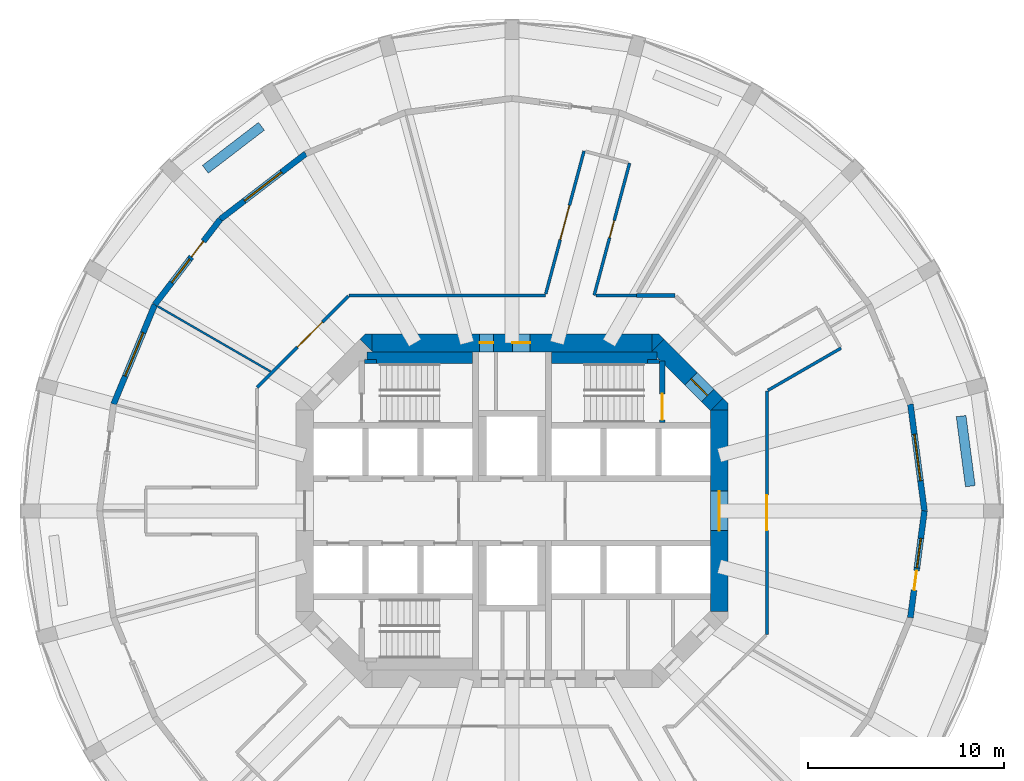
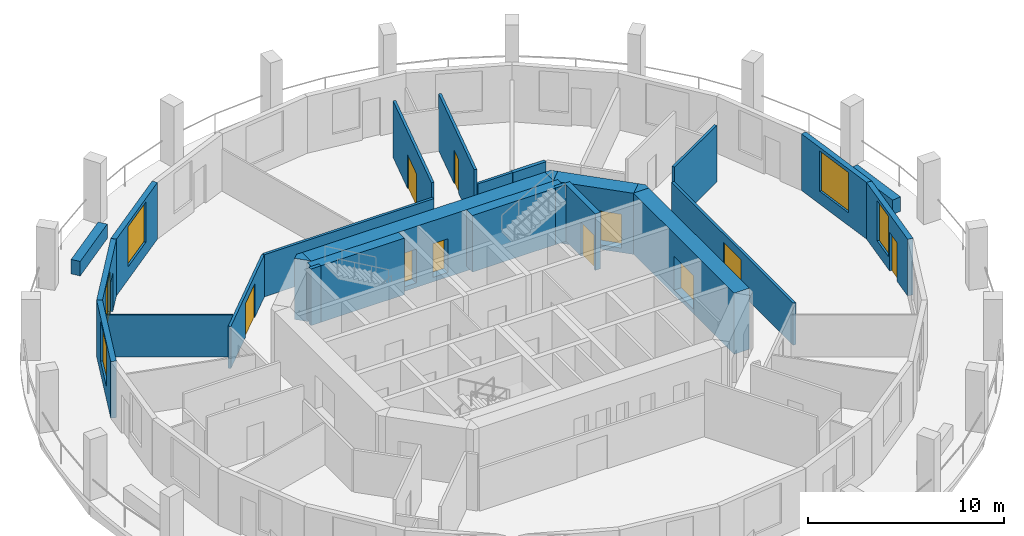
# One storey, part 5 of 8: 27 walls, 11 doors, 5 windows, 16 openings.
"""IFC4 building model written with IfcOpenShell, lengths in metres."""

from ifc_helpers import new_model, si_unit, direction, frame, frame_2d, origin, place, context, subcontext, project, spatial, polyline, rectangle, outline, extrude, material, layer, layer_set, type_object, element, fill, save


model = new_model("IFC4")

# Units and contexts
model_context = context("Model", 3, precision=1e-05, world=origin(), true_north=direction((0.0, 1.0)))
body_context = subcontext(model_context, "Body", "Model", "MODEL_VIEW")
ifc_project = project(units=[si_unit("LENGTHUNIT", "METRE"), si_unit("AREAUNIT", "SQUARE_METRE"), si_unit("VOLUMEUNIT", "CUBIC_METRE"), si_unit("PLANEANGLEUNIT", "RADIAN"), si_unit("MASSUNIT", "GRAM", prefix="KILO")], contexts=[model_context])

# Site, building, storey
site_placement = place(None, origin())
site = spatial("IfcSite", under=ifc_project, at=site_placement, CompositionType="ELEMENT")
building_placement = place(site_placement, origin())
building = spatial("IfcBuilding", under=site, at=building_placement, Name="Torre Triforio", CompositionType="ELEMENT")
storey_placement = place(building_placement, frame((0.0, 0.0, 142.800048828125)))
storey = spatial("IfcBuildingStorey", under=building, at=storey_placement, Name="L32", CompositionType="ELEMENT", Elevation=142.800048828125)

# Wall, openings, doors
ifc_material_1 = material(Name="Concrete C60", Category="concrete")
ifc_layer_1 = layer(ifc_material_1, 0.89990234375)
ifc_layer_set_1 = layer_set([ifc_layer_1], Name="Concrete C60")
wall_type_1 = type_object("IfcWallType", Name="Core wall 900 mm C60 EI 120", PredefinedType="SHEAR", material=ifc_layer_set_1)
wall_1_placement = place(storey_placement, frame((-7.1298828125, 8.550048828125, -0.280029296875), z_axis=(0.0, 0.0, 1.0), x_axis=(1.0, 0.0, 0.0)))
wall_1 = element("IfcWall", 1, at=wall_1_placement, inside=storey, type_object=wall_type_1, Name="Core wall", PredefinedType="SHEAR", context=body_context, shape_type="SweptSolid", body=[
    extrude(rectangle(XDim=14.259765625, YDim=0.89990234375, at=frame_2d((7.1298828125, 0.0))), origin(), (0.0, 0.0, 1.0), 3.800048828125),
])
opening_1_placement = place(wall_1_placement, frame((5.47998046875, 0.0, 0.280029296875)))
opening_1 = element("IfcOpeningElement", 2, at=opening_1_placement, cuts=wall_1, Name="Opening RISER-N", PredefinedType="OPENING", context=body_context, shape_type="SweptSolid", body=[
    extrude(rectangle(XDim=0.699951171875, YDim=2.10009765625, at=frame_2d((0.35009765625, 1.050048828125))), frame((0.0, 0.4599609375, 0.0), z_axis=(0.0, -1.0, 0.0), x_axis=(1.0, 0.0, 0.0)), (0.0, 0.0, 1.0), 0.919921875),
])
opening_2_placement = place(wall_1_placement, frame((7.155029296875, 0.0, 0.280029296875)))
opening_2 = element("IfcOpeningElement", 3, at=opening_2_placement, cuts=wall_1, Name="Opening NE-01", PredefinedType="OPENING", context=body_context, shape_type="SweptSolid", body=[
    extrude(rectangle(XDim=0.89990234375, YDim=2.10009765625, at=frame_2d((0.449951171875, 1.050048828125))), frame((0.0, 0.4599609375, 0.0), z_axis=(0.0, -1.0, 0.0), x_axis=(1.0, 0.0, 0.0)), (0.0, 0.0, 1.0), 0.919921875),
])
ifc_material_2 = material(Name="Hollow metal fire door leaf")
door_type_1 = type_object("IfcDoorType", Name="Riser door 700 x 2100 EI 60", OperationType="NOTDEFINED", PredefinedType="DOOR", material=ifc_material_2)
door_1_placement = place(opening_1_placement, origin())
door_1 = element("IfcDoor", 4, at=door_1_placement, inside=storey, type_object=door_type_1, Name="Core door RISER-N", OperationType="SINGLE_SWING_LEFT", OverallHeight=2.10009765625, OverallWidth=0.699951171875, PredefinedType="DOOR", context=body_context, shape_type="SweptSolid", body=[
    extrude(rectangle(XDim=0.699951171875, YDim=2.10009765625, at=frame_2d((0.35009765625, 1.050048828125))), frame((0.0, 0.02490234375, 0.0), z_axis=(0.0, -1.0, 0.0), x_axis=(1.0, 0.0, 0.0)), (0.0, 0.0, 1.0), 0.050048828125),
])
fill(opening_1, door_1)
door_type_2 = type_object("IfcDoorType", Name="Room door 900 x 2100 EI 60", OperationType="NOTDEFINED", PredefinedType="DOOR", material=ifc_material_2)
door_2_placement = place(opening_2_placement, origin())
door_2 = element("IfcDoor", 5, at=door_2_placement, inside=storey, type_object=door_type_2, Name="Core door NE-01", OperationType="SINGLE_SWING_RIGHT", OverallHeight=2.10009765625, OverallWidth=0.89990234375, PredefinedType="DOOR", context=body_context, shape_type="SweptSolid", body=[
    extrude(rectangle(XDim=0.89990234375, YDim=2.10009765625, at=frame_2d((0.449951171875, 1.050048828125))), frame((0.0, 0.02490234375, 0.0), z_axis=(0.0, -1.0, 0.0), x_axis=(1.0, 0.0, 0.0)), (0.0, 0.0, 1.0), 0.050048828125),
])
fill(opening_2, door_2)

# Wall, opening, door
wall_2_placement = place(storey_placement, frame((10.550048828125, -5.1298828125, -0.280029296875), z_axis=(0.0, 0.0, 1.0), x_axis=(0.0, 1.0, 0.0)))
wall_2 = element("IfcWall", 6, at=wall_2_placement, inside=storey, type_object=wall_type_1, Name="Core wall", PredefinedType="SHEAR", context=body_context, shape_type="SweptSolid", body=[
    extrude(rectangle(XDim=10.259765625, YDim=0.89990234375, at=frame_2d((5.1298828125, 0.0))), origin(), (0.0, 0.0, 1.0), 3.800048828125),
])
opening_3_placement = place(wall_2_placement, frame((4.1298828125, 0.0, 0.280029296875)))
opening_3 = element("IfcOpeningElement", 7, at=opening_3_placement, cuts=wall_2, Name="Opening E-RING", PredefinedType="OPENING", context=body_context, shape_type="SweptSolid", body=[
    extrude(rectangle(XDim=2.0, YDim=2.10009765625, at=frame_2d((1.0, 1.050048828125))), frame((0.0, 0.4599609375, 0.0), z_axis=(0.0, -1.0, 0.0), x_axis=(1.0, 0.0, 0.0)), (0.0, 0.0, 1.0), 0.919921875),
])
door_type_3 = type_object("IfcDoorType", Name="Lobby door 2000 x 2100 EI 60", OperationType="DOUBLE_DOOR_SINGLE_SWING", PredefinedType="DOOR", material=ifc_material_2)
door_3_placement = place(opening_3_placement, origin())
door_3 = element("IfcDoor", 8, at=door_3_placement, inside=storey, type_object=door_type_3, Name="Core door E-RING", OperationType="DOUBLE_DOOR_SINGLE_SWING", OverallHeight=2.10009765625, OverallWidth=2.0, PredefinedType="DOOR", context=body_context, shape_type="SweptSolid", body=[
    extrude(rectangle(XDim=2.0, YDim=2.10009765625, at=frame_2d((1.0, 1.050048828125))), frame((0.0, 0.02490234375, 0.0), z_axis=(0.0, -1.0, 0.0), x_axis=(1.0, 0.0, 0.0)), (0.0, 0.0, 1.0), 0.050048828125),
])
fill(opening_3, door_3)

wall_3_placement = place(storey_placement, frame((7.418212890625, 8.418212890625, -0.280029296875), z_axis=(0.0, 0.0, 1.0), x_axis=(0.707106781187, -0.707106781187, 0.0)))
wall_3 = element("IfcWall", 9, at=wall_3_placement, inside=storey, type_object=wall_type_1, Name="Core wall", PredefinedType="SHEAR", context=body_context, shape_type="SweptSolid", body=[
    extrude(rectangle(XDim=4.24267578125, YDim=0.89990234375, at=frame_2d((2.121337890625, 0.0))), origin(), (0.0, 0.0, 1.0), 3.800048828125),
])
opening_4_placement = place(wall_3_placement, frame((2.392578125, 0.0, 0.280029296875)))
opening_4 = element("IfcOpeningElement", 10, at=opening_4_placement, cuts=wall_3, Name="Opening ST2-EXIT", PredefinedType="OPENING", context=body_context, shape_type="SweptSolid", body=[
    extrude(rectangle(XDim=1.199951171875, YDim=2.10009765625, at=frame_2d((0.60009765625, 1.050048828125))), frame((0.0, 0.4599609375, 0.0), z_axis=(0.0, -1.0, 0.0), x_axis=(1.0, 0.0, 0.0)), (0.0, 0.0, 1.0), 0.919921875),
])
door_type_4 = type_object("IfcDoorType", Name="Stair lobby door 1200 x 2100 EI 60", OperationType="NOTDEFINED", PredefinedType="DOOR", material=ifc_material_2)
door_4_placement = place(opening_4_placement, origin())
door_4 = element("IfcDoor", 11, at=door_4_placement, inside=storey, type_object=door_type_4, Name="Core door ST2-EXIT", OperationType="SINGLE_SWING_RIGHT", OverallHeight=2.10009765625, OverallWidth=1.199951171875, PredefinedType="DOOR", context=body_context, shape_type="SweptSolid", body=[
    extrude(rectangle(XDim=1.199951171875, YDim=2.10009765625, at=frame_2d((0.60009765625, 1.050048828125))), frame((0.0, 0.02490234375, 0.0), z_axis=(0.0, -1.0, 0.0), x_axis=(1.0, 0.0, 0.0)), (0.0, 0.0, 1.0), 0.050048828125),
])
fill(opening_4, door_4)

# Walls
wall_4_placement = place(storey_placement, frame((0.0, 0.0, -0.280029296875)))
element("IfcWall", 12, at=wall_4_placement, inside=storey, type_object=wall_type_1, Name="Core wall", PredefinedType="SHEAR", context=body_context, shape_type="SweptSolid", body=[
    extrude(outline(polyline([(11.0, 5.472900390625), (11.0, 5.1298828125), (10.1298828125, 5.1298828125), (10.736328125, 5.736328125), (11.0, 5.472900390625)])), origin(), (0.0, 0.0, 1.0), 3.800048828125),
])
wall_5_placement = place(storey_placement, frame((0.0, 0.0, -0.280029296875)))
element("IfcWall", 13, at=wall_5_placement, inside=storey, type_object=wall_type_1, Name="Core wall", PredefinedType="SHEAR", context=body_context, shape_type="SweptSolid", body=[
    extrude(outline(polyline([(-7.472900390625, 9.0), (-7.1298828125, 9.0), (-7.1298828125, 8.1298828125), (-7.736328125, 8.736328125), (-7.472900390625, 9.0)])), origin(), (0.0, 0.0, 1.0), 3.800048828125),
])
wall_6_placement = place(storey_placement, frame((0.0, 0.0, -0.280029296875)))
element("IfcWall", 14, at=wall_6_placement, inside=storey, type_object=wall_type_1, Name="Core wall", PredefinedType="SHEAR", context=body_context, shape_type="SweptSolid", body=[
    extrude(outline(polyline([(7.472900390625, 9.0), (7.736328125, 8.736328125), (7.1298828125, 8.1298828125), (7.1298828125, 9.0), (7.472900390625, 9.0)])), origin(), (0.0, 0.0, 1.0), 3.800048828125),
])

# Wall, opening, door
ifc_material_3 = material(Name="Plasterboard on metal studs")
ifc_layer_2 = layer(ifc_material_3, 0.14990234375)
ifc_layer_set_2 = layer_set([ifc_layer_2], Name="Plasterboard on metal studs")
wall_type_2 = type_object("IfcWallType", Name="Corridor and tenancy wall 150 mm EI 60", PredefinedType="PARTITIONING", material=ifc_layer_set_2)
wall_7_placement = place(storey_placement, frame((-12.97509765625, 6.291015625, 0.0), z_axis=(0.0, 0.0, 1.0), x_axis=(0.707125355289, 0.707088206597, 0.0)))
wall_7 = element("IfcWall", 15, at=wall_7_placement, inside=storey, type_object=wall_type_2, Name="Partition 8", PredefinedType="PARTITIONING", context=body_context, shape_type="SweptSolid", body=[
    extrude(rectangle(XDim=6.572021484375, YDim=0.14990234375, at=frame_2d((3.2861328125, 0.0))), origin(), (0.0, 0.0, 1.0), 2.619873046875),
])
opening_5_placement = place(wall_7_placement, frame((2.898193359375, 0.0, 0.0)))
opening_5 = element("IfcOpeningElement", 16, at=opening_5_placement, cuts=wall_7, Name="Opening D3-01", PredefinedType="OPENING", context=body_context, shape_type="SweptSolid", body=[
    extrude(rectangle(XDim=1.800048828125, YDim=2.10009765625, at=frame_2d((0.89990234375, 1.050048828125))), frame((0.0, 0.0849609375, 0.0), z_axis=(0.0, -1.0, 0.0), x_axis=(1.0, 0.0, 0.0)), (0.0, 0.0, 1.0), 0.169921875),
])
ifc_material_4 = material(Name="Timber", Category="wood")
door_type_5 = type_object("IfcDoorType", Name="Door 1800 x 2100 double leaf EI 30", OperationType="DOUBLE_DOOR_SINGLE_SWING", PredefinedType="DOOR", material=ifc_material_4)
door_5_placement = place(opening_5_placement, origin())
door_5 = element("IfcDoor", 17, at=door_5_placement, inside=storey, type_object=door_type_5, Name="Door D3-01", OperationType="DOUBLE_DOOR_SINGLE_SWING", OverallHeight=2.10009765625, OverallWidth=1.800048828125, PredefinedType="DOOR", context=body_context, shape_type="SweptSolid", body=[
    extrude(rectangle(XDim=1.800048828125, YDim=2.10009765625, at=frame_2d((0.89990234375, 1.050048828125))), frame((0.0, 0.02490234375, 0.0), z_axis=(0.0, -1.0, 0.0), x_axis=(1.0, 0.0, 0.0)), (0.0, 0.0, 1.0), 0.050048828125),
])
fill(opening_5, door_5)

# Wall
wall_8_placement = place(storey_placement, frame((-8.291015625, 10.97509765625, 0.0), z_axis=(0.0, 0.0, 1.0), x_axis=(1.0, 0.0, 0.0)))
element("IfcWall", 18, at=wall_8_placement, inside=storey, type_object=wall_type_2, Name="Partition 9", PredefinedType="PARTITIONING", context=body_context, shape_type="SweptSolid", body=[
    extrude(rectangle(XDim=9.989501953125, YDim=0.14990234375, at=frame_2d((4.99462890625, 0.0))), origin(), (0.0, 0.0, 1.0), 2.619873046875),
])

# Wall, opening, door
wall_9_placement = place(storey_placement, frame((1.71728515625, 11.044921875, 0.0), z_axis=(0.0, 0.0, 1.0), x_axis=(0.258799782893, 0.965930987377, 0.0)))
wall_9 = element("IfcWall", 19, at=wall_9_placement, inside=storey, type_object=wall_type_2, Name="Partition 10", PredefinedType="PARTITIONING", context=body_context, shape_type="SweptSolid", body=[
    extrude(rectangle(XDim=7.53564453125, YDim=0.14990234375, at=frame_2d((3.767822265625, 0.0))), origin(), (0.0, 0.0, 1.0), 3.52001953125),
])
opening_6_placement = place(wall_9_placement, frame((2.867919921875, 0.0, 0.0)))
opening_6 = element("IfcOpeningElement", 20, at=opening_6_placement, cuts=wall_9, Name="Opening D3-13", PredefinedType="OPENING", context=body_context, shape_type="SweptSolid", body=[
    extrude(rectangle(XDim=1.800048828125, YDim=2.10009765625, at=frame_2d((0.89990234375, 1.050048828125))), frame((0.0, 0.0849609375, 0.0), z_axis=(0.0, -1.0, 0.0), x_axis=(1.0, 0.0, 0.0)), (0.0, 0.0, 1.0), 0.169921875),
])
door_6_placement = place(opening_6_placement, origin())
door_6 = element("IfcDoor", 21, at=door_6_placement, inside=storey, type_object=door_type_5, Name="Door D3-13", OperationType="DOUBLE_DOOR_SINGLE_SWING", OverallHeight=2.10009765625, OverallWidth=1.800048828125, PredefinedType="DOOR", context=body_context, shape_type="SweptSolid", body=[
    extrude(rectangle(XDim=1.800048828125, YDim=2.10009765625, at=frame_2d((0.89990234375, 1.050048828125))), frame((0.0, 0.02490234375, 0.0), z_axis=(0.0, -1.0, 0.0), x_axis=(1.0, 0.0, 0.0)), (0.0, 0.0, 1.0), 0.050048828125),
])
fill(opening_6, door_6)

wall_10_placement = place(storey_placement, frame((5.98583984375, 17.70263671875, 0.0), z_axis=(0.0, 0.0, 1.0), x_axis=(-0.258831867169, -0.965922390535, 0.0)))
wall_10 = element("IfcWall", 22, at=wall_10_placement, inside=storey, type_object=wall_type_2, Name="Partition 12", PredefinedType="PARTITIONING", context=body_context, shape_type="SweptSolid", body=[
    extrude(rectangle(XDim=6.96484375, YDim=0.14990234375, at=frame_2d((3.482421875, 0.0))), origin(), (0.0, 0.0, 1.0), 3.52001953125),
])
opening_7_placement = place(wall_10_placement, frame((3.032470703125, 0.0, 0.0)))
opening_7 = element("IfcOpeningElement", 23, at=opening_7_placement, cuts=wall_10, Name="Opening D3-12", PredefinedType="OPENING", context=body_context, shape_type="SweptSolid", body=[
    extrude(rectangle(XDim=0.89990234375, YDim=2.10009765625, at=frame_2d((0.449951171875, 1.050048828125))), frame((0.0, 0.0849609375, 0.0), z_axis=(0.0, -1.0, 0.0), x_axis=(1.0, 0.0, 0.0)), (0.0, 0.0, 1.0), 0.169921875),
])
door_type_6 = type_object("IfcDoorType", Name="Door 900 x 2100 single leaf EI 30", OperationType="NOTDEFINED", PredefinedType="DOOR", material=ifc_material_4)
door_7_placement = place(opening_7_placement, origin())
door_7 = element("IfcDoor", 24, at=door_7_placement, inside=storey, type_object=door_type_6, Name="Door D3-12", OperationType="SINGLE_SWING_RIGHT", OverallHeight=2.10009765625, OverallWidth=0.89990234375, PredefinedType="DOOR", context=body_context, shape_type="SweptSolid", body=[
    extrude(rectangle(XDim=0.89990234375, YDim=2.10009765625, at=frame_2d((0.449951171875, 1.050048828125))), frame((0.0, 0.02490234375, 0.0), z_axis=(0.0, -1.0, 0.0), x_axis=(1.0, 0.0, 0.0)), (0.0, 0.0, 1.0), 0.050048828125),
])
fill(opening_7, door_7)

# Walls
wall_11_placement = place(storey_placement, frame((4.280517578125, 10.97509765625, 0.0), z_axis=(0.0, 0.0, 1.0), x_axis=(1.0, 0.0, 0.0)))
element("IfcWall", 25, at=wall_11_placement, inside=storey, type_object=wall_type_2, Name="Partition 13", PredefinedType="PARTITIONING", context=body_context, shape_type="SweptSolid", body=[
    extrude(rectangle(XDim=2.055908203125, YDim=0.14990234375, at=frame_2d((1.02783203125, 0.0))), origin(), (0.0, 0.0, 1.0), 2.619873046875),
])
wall_12_placement = place(storey_placement, frame((16.750244140625, 8.28515625, 0.0), z_axis=(0.0, 0.0, 1.0), x_axis=(-0.866019905438, -0.500009523294, 0.0)))
element("IfcWall", 26, at=wall_12_placement, inside=storey, type_object=wall_type_2, Name="Partition 19", PredefinedType="PARTITIONING", context=body_context, shape_type="SweptSolid", body=[
    extrude(rectangle(XDim=4.29443359375, YDim=0.14990234375, at=frame_2d((2.147216796875, 0.0))), origin(), (0.0, 0.0, 1.0), 3.52001953125),
])

# Wall, opening, door
wall_13_placement = place(storey_placement, frame((12.97509765625, 6.10546875, 0.0), z_axis=(0.0, 0.0, 1.0), x_axis=(0.0, -1.0, 0.0)))
wall_13 = element("IfcWall", 27, at=wall_13_placement, inside=storey, type_object=wall_type_2, Name="Partition 20", PredefinedType="PARTITIONING", context=body_context, shape_type="SweptSolid", body=[
    extrude(rectangle(XDim=12.396484375, YDim=0.14990234375, at=frame_2d((6.1982421875, 0.0))), origin(), (0.0, 0.0, 1.0), 2.619873046875),
])
opening_8_placement = place(wall_13_placement, frame((5.298095703125, 0.0, 0.0)))
opening_8 = element("IfcOpeningElement", 28, at=opening_8_placement, cuts=wall_13, Name="Opening D3-09", PredefinedType="OPENING", context=body_context, shape_type="SweptSolid", body=[
    extrude(rectangle(XDim=1.800048828125, YDim=2.10009765625, at=frame_2d((0.89990234375, 1.050048828125))), frame((0.0, 0.0849609375, 0.0), z_axis=(0.0, -1.0, 0.0), x_axis=(1.0, 0.0, 0.0)), (0.0, 0.0, 1.0), 0.169921875),
])
door_8_placement = place(opening_8_placement, origin())
door_8 = element("IfcDoor", 29, at=door_8_placement, inside=storey, type_object=door_type_5, Name="Door D3-09", OperationType="DOUBLE_DOOR_SINGLE_SWING", OverallHeight=2.10009765625, OverallWidth=1.800048828125, PredefinedType="DOOR", context=body_context, shape_type="SweptSolid", body=[
    extrude(rectangle(XDim=1.800048828125, YDim=2.10009765625, at=frame_2d((0.89990234375, 1.050048828125))), frame((0.0, 0.02490234375, 0.0), z_axis=(0.0, -1.0, 0.0), x_axis=(1.0, 0.0, 0.0)), (0.0, 0.0, 1.0), 0.050048828125),
])
fill(opening_8, door_8)

# Walls
ifc_layer_3 = layer(ifc_material_3, 0.10009765625)
ifc_layer_set_3 = layer_set([ifc_layer_3], Name="Plasterboard on metal studs")
wall_type_3 = type_object("IfcWallType", Name="Partition 100 mm board on metal studs", PredefinedType="PARTITIONING", material=ifc_layer_set_3)
wall_14_placement = place(storey_placement, frame((-12.294189453125, 7.097900390625, 0.0), z_axis=(0.0, 0.0, 1.0), x_axis=(-0.866010486135, 0.500025837236, 0.0)))
element("IfcWall", 30, at=wall_14_placement, inside=storey, type_object=wall_type_3, Name="Partition 35", PredefinedType="PARTITIONING", context=body_context, shape_type="SweptSolid", body=[
    extrude(rectangle(XDim=6.640869140625, YDim=0.10009765625, at=frame_2d((3.3203125, 0.0))), origin(), (0.0, 0.0, 1.0), 2.619873046875),
])
ifc_material_5 = material(Name="Masonry block", Category="masonry")
ifc_layer_4 = layer(ifc_material_5, 0.199951171875)
ifc_layer_set_4 = layer_set([ifc_layer_4], Name="Masonry block")
wall_type_4 = type_object("IfcWallType", Name="Plant room wall 200 mm block EI 120", PredefinedType="PARTITIONING", material=ifc_layer_set_4)
wall_15_placement = place(storey_placement, frame((6.33642578125, 10.97509765625, 0.0), z_axis=(0.0, 0.0, 1.0), x_axis=(1.0, 0.0, 0.0)))
element("IfcWall", 31, at=wall_15_placement, inside=storey, type_object=wall_type_4, Name="Partition 14", PredefinedType="PARTITIONING", context=body_context, shape_type="SweptSolid", body=[
    extrude(rectangle(XDim=1.95458984375, YDim=0.199951171875, at=frame_2d((0.977294921875, 0.0))), origin(), (0.0, 0.0, 1.0), 2.619873046875),
])
ifc_material_6 = material(Name="Limestone cladding", Category="masonry")
ifc_layer_5 = layer(ifc_material_6, 0.10009765625)
ifc_material_7 = material(Name="Concrete C40", Category="concrete")
ifc_layer_6 = layer(ifc_material_7, 0.39990234375)
ifc_layer_set_5 = layer_set([ifc_layer_5, ifc_layer_6], Name="Limestone cladding / Concrete C40")
wall_type_5 = type_object("IfcWallType", Name="Planter wall 500", PredefinedType="PARAPET", material=ifc_layer_set_5)
for number, where, z_axis, x_axis, name in (
    (32, (23.335693359375, 1.256591796875, 0.0), (0.0, 0.0, 1.0), (-0.130542222659, 0.991442750795, 0.0), "Planter L32 bay 01"),
    (33, (-12.756103515625, 19.580810546875, 0.0), (0.0, 0.0, 1.0), (-0.793384730612, -0.608720518162, 0.0), "Planter L32 bay 09"),
):
    element("IfcWall", number, at=place(storey_placement, frame(where, z_axis=z_axis, x_axis=x_axis)), inside=storey, type_object=wall_type_5, Name=name, PredefinedType="PARAPET", context=body_context, shape_type="SweptSolid", body=[
        extrude(rectangle(XDim=3.60009765625, YDim=0.5, at=frame_2d((1.800048828125, 0.0))), origin(), (0.0, 0.0, 1.0), 0.89990234375),
    ])
ifc_layer_7 = layer(ifc_material_1, 0.199951171875)
ifc_layer_set_6 = layer_set([ifc_layer_7], Name="Concrete C60")
wall_type_6 = type_object("IfcWallType", Name="Stair wall 200 mm C60 EI 120", PredefinedType="SHEAR", material=ifc_layer_set_6)
for number, where, z_axis, x_axis, name in (
    (34, (-7.5, 7.60009765625, 0.0), (0.0, 0.0, 1.0), (1.0, 0.0, 0.0), "Stair wall"),
    (35, (6.89990234375, 7.60009765625, 0.0), (0.0, 0.0, 1.0), (1.0, 0.0, 0.0), "Stair wall"),
):
    element("IfcWall", number, at=place(storey_placement, frame(where, z_axis=z_axis, x_axis=x_axis)), inside=storey, type_object=wall_type_6, Name=name, PredefinedType="SHEAR", context=body_context, shape_type="SweptSolid", body=[
        extrude(rectangle(XDim=0.60009765625, YDim=0.199951171875, at=frame_2d((0.300048828125, 0.0))), origin(), (0.0, 0.0, 1.0), 3.52001953125),
    ])

# Wall, opening, door
ifc_layer_8 = layer(ifc_material_1, 0.300048828125)
ifc_layer_set_7 = layer_set([ifc_layer_8], Name="Concrete C60")
wall_type_7 = type_object("IfcWallType", Name="Stair wall 300 mm C60 EI 120", PredefinedType="SHEAR", material=ifc_layer_set_7)
wall_16_placement = place(storey_placement, frame((7.64990234375, 4.5, 0.0), z_axis=(0.0, 0.0, 1.0), x_axis=(0.0, 1.0, 0.0)))
wall_16 = element("IfcWall", 36, at=wall_16_placement, inside=storey, type_object=wall_type_7, Name="Stair wall", PredefinedType="SHEAR", context=body_context, shape_type="SweptSolid", body=[
    extrude(rectangle(XDim=3.139892578125, YDim=0.300048828125, at=frame_2d((1.56982421875, 0.0))), origin(), (0.0, 0.0, 1.0), 3.52001953125),
])
opening_9_placement = place(wall_16_placement, frame((0.139892578125, 0.0, 0.0)))
opening_9 = element("IfcOpeningElement", 37, at=opening_9_placement, cuts=wall_16, Name="Opening ST2-STA", PredefinedType="OPENING", context=body_context, shape_type="SweptSolid", body=[
    extrude(rectangle(XDim=1.320068359375, YDim=2.10009765625, at=frame_2d((0.66015625, 1.050048828125))), frame((0.0, 0.159912109375, 0.0), z_axis=(0.0, -1.0, 0.0), x_axis=(1.0, 0.0, 0.0)), (0.0, 0.0, 1.0), 0.320068359375),
])
door_type_7 = type_object("IfcDoorType", Name="Stair door 1320 x 2100 EI 90", OperationType="DOUBLE_DOOR_SINGLE_SWING", PredefinedType="DOOR", material=ifc_material_2)
door_9_placement = place(opening_9_placement, origin())
door_9 = element("IfcDoor", 38, at=door_9_placement, inside=storey, type_object=door_type_7, Name="Core door ST2-ST", OperationType="DOUBLE_DOOR_SINGLE_SWING", OverallHeight=2.10009765625, OverallWidth=1.320068359375, PredefinedType="DOOR", context=body_context, shape_type="SweptSolid", body=[
    extrude(rectangle(XDim=1.320068359375, YDim=2.10009765625, at=frame_2d((0.66015625, 1.050048828125))), frame((0.0, 0.02490234375, 0.0), z_axis=(0.0, -1.0, 0.0), x_axis=(1.0, 0.0, 0.0)), (0.0, 0.0, 1.0), 0.050048828125),
])
fill(opening_9, door_9)

# Walls
ifc_layer_9 = layer(ifc_material_1, 0.60009765625)
ifc_layer_set_8 = layer_set([ifc_layer_9], Name="Concrete C60")
wall_type_8 = type_object("IfcWallType", Name="Stair wall 600 mm C60 EI 120", PredefinedType="SHEAR", material=ifc_layer_set_8)
for number, where, z_axis, x_axis, name in (
    (39, (-7.3701171875, 7.800048828125, 0.0), (0.0, 0.0, 1.0), (1.0, 0.0, 0.0), "Stair wall"),
    (40, (2.0, 7.800048828125, 0.0), (0.0, 0.0, 1.0), (1.0, 0.0, 0.0), "Stair wall"),
):
    element("IfcWall", number, at=place(storey_placement, frame(where, z_axis=z_axis, x_axis=x_axis)), inside=storey, type_object=wall_type_8, Name=name, PredefinedType="SHEAR", context=body_context, shape_type="SweptSolid", body=[
        extrude(rectangle(XDim=5.3701171875, YDim=0.60009765625, at=frame_2d((2.68505859375, 0.0))), origin(), (0.0, 0.0, 1.0), 3.52001953125),
    ])

# Wall, opening, window
ifc_layer_10 = layer(ifc_material_6, 0.10009765625)
ifc_layer_11 = layer(ifc_material_7, 0.199951171875)
ifc_layer_set_9 = layer_set([ifc_layer_10, ifc_layer_11], Name="Limestone cladding / Concrete C40")
wall_type_9 = type_object("IfcWallType", Name="Stone-faced composite wall 300", PredefinedType="STANDARD", material=ifc_layer_set_9)
wall_17_placement = place(storey_placement, frame((21.0, 0.0, 0.0), z_axis=(0.0, 0.0, 1.0), x_axis=(-0.130527087244, 0.991444743541, 0.0)))
wall_17 = element("IfcWall", 41, at=wall_17_placement, inside=storey, type_object=wall_type_9, Name="External wall L32 bay 01", PredefinedType="STANDARD", context=body_context, shape_type="SweptSolid", body=[
    extrude(rectangle(XDim=5.482177734375, YDim=0.300048828125, at=frame_2d((2.7412109375, 0.0))), origin(), (0.0, 0.0, 1.0), 3.52001953125),
])
opening_10_placement = place(wall_17_placement, frame((1.541015625, 0.0, 0.800048828125)))
opening_10 = element("IfcOpeningElement", 42, at=opening_10_placement, cuts=wall_17, Name="Opening D3-W01", PredefinedType="OPENING", context=body_context, shape_type="SweptSolid", body=[
    extrude(rectangle(XDim=2.39990234375, YDim=2.5, at=frame_2d((1.199951171875, 1.25))), frame((0.0, 0.159912109375, 0.0), z_axis=(0.0, -1.0, 0.0), x_axis=(1.0, 0.0, 0.0)), (0.0, 0.0, 1.0), 0.320068359375),
])
ifc_material_8 = material(Name="Aluminium frame with clear double glazing", Category="aluminium")
window_type_1 = type_object("IfcWindowType", Name="Punched window 2400 x 2500", PartitioningType="DOUBLE_PANEL_VERTICAL", PredefinedType="WINDOW", material=ifc_material_8)
window_1_placement = place(opening_10_placement, origin())
window_1 = element("IfcWindow", 43, at=window_1_placement, inside=storey, type_object=window_type_1, Name="Window EWN3 L32 bay 01", OverallHeight=2.5, OverallWidth=2.39990234375, PartitioningType="SINGLE_PANEL", PredefinedType="WINDOW", context=body_context, shape_type="SweptSolid", body=[
    extrude(rectangle(XDim=2.39990234375, YDim=2.5, at=frame_2d((1.199951171875, 1.25))), frame((0.0, 0.030029296875, 0.0), z_axis=(0.0, -1.0, 0.0), x_axis=(1.0, 0.0, 0.0)), (0.0, 0.0, 1.0), 0.06005859375),
])
fill(opening_10, window_1)

wall_18_placement = place(storey_placement, frame((-10.5, 18.1865234375, 0.0), z_axis=(0.0, 0.0, 1.0), x_axis=(-0.793335336593, -0.608784891166, 0.0)))
wall_18 = element("IfcWall", 44, at=wall_18_placement, inside=storey, type_object=wall_type_9, Name="External wall L32 bay 09", PredefinedType="STANDARD", context=body_context, shape_type="SweptSolid", body=[
    extrude(rectangle(XDim=5.482177734375, YDim=0.300048828125, at=frame_2d((2.7412109375, 0.0))), origin(), (0.0, 0.0, 1.0), 3.52001953125),
])
opening_11_placement = place(wall_18_placement, frame((1.541015625, 0.0, 0.800048828125)))
opening_11 = element("IfcOpeningElement", 45, at=opening_11_placement, cuts=wall_18, Name="Opening D3-W09", PredefinedType="OPENING", context=body_context, shape_type="SweptSolid", body=[
    extrude(rectangle(XDim=2.39990234375, YDim=2.5, at=frame_2d((1.199951171875, 1.25))), frame((0.0, 0.159912109375, 0.0), z_axis=(0.0, -1.0, 0.0), x_axis=(1.0, 0.0, 0.0)), (0.0, 0.0, 1.0), 0.320068359375),
])
window_2_placement = place(opening_11_placement, origin())
window_2 = element("IfcWindow", 46, at=window_2_placement, inside=storey, type_object=window_type_1, Name="Window EWN3 L32 bay 09", OverallHeight=2.5, OverallWidth=2.39990234375, PartitioningType="SINGLE_PANEL", PredefinedType="WINDOW", context=body_context, shape_type="SweptSolid", body=[
    extrude(rectangle(XDim=2.39990234375, YDim=2.5, at=frame_2d((1.199951171875, 1.25))), frame((0.0, 0.030029296875, 0.0), z_axis=(0.0, -1.0, 0.0), x_axis=(1.0, 0.0, 0.0)), (0.0, 0.0, 1.0), 0.06005859375),
])
fill(opening_11, window_2)

# Wall, openings, door, window
wall_19_placement = place(storey_placement, frame((-14.84912109375, 14.84912109375, 0.0), z_axis=(0.0, 0.0, 1.0), x_axis=(-0.608784891166, -0.793335336593, 0.0)))
wall_19 = element("IfcWall", 47, at=wall_19_placement, inside=storey, type_object=wall_type_9, Name="External wall L32 bay 10", PredefinedType="STANDARD", context=body_context, shape_type="SweptSolid", body=[
    extrude(rectangle(XDim=5.482177734375, YDim=0.300048828125, at=frame_2d((2.7412109375, 0.0))), origin(), (0.0, 0.0, 1.0), 3.52001953125),
])
opening_12_placement = place(wall_19_placement, frame((1.416015625, 0.0, 0.0)))
opening_12 = element("IfcOpeningElement", 48, at=opening_12_placement, cuts=wall_19, Name="Opening D3-D10", PredefinedType="OPENING", context=body_context, shape_type="SweptSolid", body=[
    extrude(rectangle(XDim=1.0, YDim=2.39990234375, at=frame_2d((0.5, 1.199951171875))), frame((0.0, 0.159912109375, 0.0), z_axis=(0.0, -1.0, 0.0), x_axis=(1.0, 0.0, 0.0)), (0.0, 0.0, 1.0), 0.320068359375),
])
opening_13_placement = place(wall_19_placement, frame((2.56591796875, 0.0, 0.800048828125)))
opening_13 = element("IfcOpeningElement", 49, at=opening_13_placement, cuts=wall_19, Name="Opening D3-W10A", PredefinedType="OPENING", context=body_context, shape_type="SweptSolid", body=[
    extrude(rectangle(XDim=1.5, YDim=2.5, at=frame_2d((0.75, 1.25))), frame((0.0, 0.159912109375, 0.0), z_axis=(0.0, -1.0, 0.0), x_axis=(1.0, 0.0, 0.0)), (0.0, 0.0, 1.0), 0.320068359375),
])
door_type_8 = type_object("IfcDoorType", Name="Loggia door 1000 x 2400", OperationType="NOTDEFINED", PredefinedType="DOOR", material=ifc_material_8)
door_10_placement = place(opening_12_placement, origin())
door_10 = element("IfcDoor", 50, at=door_10_placement, inside=storey, type_object=door_type_8, Name="Loggia door L32 bay 10", OperationType="SINGLE_SWING_LEFT", OverallHeight=2.39990234375, OverallWidth=1.0, PredefinedType="DOOR", context=body_context, shape_type="SweptSolid", body=[
    extrude(rectangle(XDim=1.0, YDim=2.39990234375, at=frame_2d((0.5, 1.199951171875))), frame((0.0, 0.02490234375, 0.0), z_axis=(0.0, -1.0, 0.0), x_axis=(1.0, 0.0, 0.0)), (0.0, 0.0, 1.0), 0.050048828125),
])
fill(opening_12, door_10)
window_type_2 = type_object("IfcWindowType", Name="Side window 1500 x 2500", PartitioningType="SINGLE_PANEL", PredefinedType="WINDOW", material=ifc_material_8)
window_3_placement = place(opening_13_placement, origin())
window_3 = element("IfcWindow", 51, at=window_3_placement, inside=storey, type_object=window_type_2, Name="Side window EWN13 L32 bay 10", OverallHeight=2.5, OverallWidth=1.5, PartitioningType="SINGLE_PANEL", PredefinedType="WINDOW", context=body_context, shape_type="SweptSolid", body=[
    extrude(rectangle(XDim=1.5, YDim=2.5, at=frame_2d((0.75, 1.25))), frame((0.0, 0.030029296875, 0.0), z_axis=(0.0, -1.0, 0.0), x_axis=(1.0, 0.0, 0.0)), (0.0, 0.0, 1.0), 0.06005859375),
])
fill(opening_13, window_3)

# Wall, opening, window
wall_20_placement = place(storey_placement, frame((-18.1865234375, 10.5, 0.0), z_axis=(0.0, 0.0, 1.0), x_axis=(-0.382688740813, -0.923877333662, 0.0)))
wall_20 = element("IfcWall", 52, at=wall_20_placement, inside=storey, type_object=wall_type_9, Name="External wall L32 bay 11", PredefinedType="STANDARD", context=body_context, shape_type="SweptSolid", body=[
    extrude(rectangle(XDim=5.48193359375, YDim=0.300048828125, at=frame_2d((2.740966796875, 0.0))), origin(), (0.0, 0.0, 1.0), 3.52001953125),
])
opening_14_placement = place(wall_20_placement, frame((1.541015625, 0.0, 0.800048828125)))
opening_14 = element("IfcOpeningElement", 53, at=opening_14_placement, cuts=wall_20, Name="Opening D3-W11", PredefinedType="OPENING", context=body_context, shape_type="SweptSolid", body=[
    extrude(rectangle(XDim=2.39990234375, YDim=2.5, at=frame_2d((1.199951171875, 1.25))), frame((0.0, 0.159912109375, 0.0), z_axis=(0.0, -1.0, 0.0), x_axis=(1.0, 0.0, 0.0)), (0.0, 0.0, 1.0), 0.320068359375),
])
window_4_placement = place(opening_14_placement, origin())
window_4 = element("IfcWindow", 54, at=window_4_placement, inside=storey, type_object=window_type_1, Name="Window EWN3 L32 bay 11", OverallHeight=2.5, OverallWidth=2.39990234375, PartitioningType="SINGLE_PANEL", PredefinedType="WINDOW", context=body_context, shape_type="SweptSolid", body=[
    extrude(rectangle(XDim=2.39990234375, YDim=2.5, at=frame_2d((1.199951171875, 1.25))), frame((0.0, 0.030029296875, 0.0), z_axis=(0.0, -1.0, 0.0), x_axis=(1.0, 0.0, 0.0)), (0.0, 0.0, 1.0), 0.06005859375),
])
fill(opening_14, window_4)

# Wall, openings, door, window
wall_21_placement = place(storey_placement, frame((20.284423828125, -5.435302734375, 0.0), z_axis=(0.0, 0.0, 1.0), x_axis=(0.130527087244, 0.991444743541, 0.0)))
wall_21 = element("IfcWall", 55, at=wall_21_placement, inside=storey, type_object=wall_type_9, Name="External wall L32 bay 24", PredefinedType="STANDARD", context=body_context, shape_type="SweptSolid", body=[
    extrude(rectangle(XDim=5.482177734375, YDim=0.300048828125, at=frame_2d((2.7412109375, 0.0))), origin(), (0.0, 0.0, 1.0), 3.52001953125),
])
opening_15_placement = place(wall_21_placement, frame((1.416015625, 0.0, 0.0)))
opening_15 = element("IfcOpeningElement", 56, at=opening_15_placement, cuts=wall_21, Name="Opening D3-D24", PredefinedType="OPENING", context=body_context, shape_type="SweptSolid", body=[
    extrude(rectangle(XDim=1.0, YDim=2.39990234375, at=frame_2d((0.5, 1.199951171875))), frame((0.0, 0.159912109375, 0.0), z_axis=(0.0, -1.0, 0.0), x_axis=(1.0, 0.0, 0.0)), (0.0, 0.0, 1.0), 0.320068359375),
])
opening_16_placement = place(wall_21_placement, frame((2.566162109375, 0.0, 0.800048828125)))
opening_16 = element("IfcOpeningElement", 57, at=opening_16_placement, cuts=wall_21, Name="Opening D3-W24A", PredefinedType="OPENING", context=body_context, shape_type="SweptSolid", body=[
    extrude(rectangle(XDim=1.5, YDim=2.5, at=frame_2d((0.75, 1.25))), frame((0.0, 0.159912109375, 0.0), z_axis=(0.0, -1.0, 0.0), x_axis=(1.0, 0.0, 0.0)), (0.0, 0.0, 1.0), 0.320068359375),
])
door_11_placement = place(opening_15_placement, origin())
door_11 = element("IfcDoor", 58, at=door_11_placement, inside=storey, type_object=door_type_8, Name="Loggia door L32 bay 24", OperationType="SINGLE_SWING_LEFT", OverallHeight=2.39990234375, OverallWidth=1.0, PredefinedType="DOOR", context=body_context, shape_type="SweptSolid", body=[
    extrude(rectangle(XDim=1.0, YDim=2.39990234375, at=frame_2d((0.5, 1.199951171875))), frame((0.0, 0.02490234375, 0.0), z_axis=(0.0, -1.0, 0.0), x_axis=(1.0, 0.0, 0.0)), (0.0, 0.0, 1.0), 0.050048828125),
])
fill(opening_15, door_11)
window_5_placement = place(opening_16_placement, origin())
window_5 = element("IfcWindow", 59, at=window_5_placement, inside=storey, type_object=window_type_2, Name="Side window EWN13 L32 bay 24", OverallHeight=2.5, OverallWidth=1.5, PartitioningType="SINGLE_PANEL", PredefinedType="WINDOW", context=body_context, shape_type="SweptSolid", body=[
    extrude(rectangle(XDim=1.5, YDim=2.5, at=frame_2d((0.75, 1.25))), frame((0.0, 0.030029296875, 0.0), z_axis=(0.0, -1.0, 0.0), x_axis=(1.0, 0.0, 0.0)), (0.0, 0.0, 1.0), 0.06005859375),
])
fill(opening_16, window_5)

save(model, "model.ifc")
